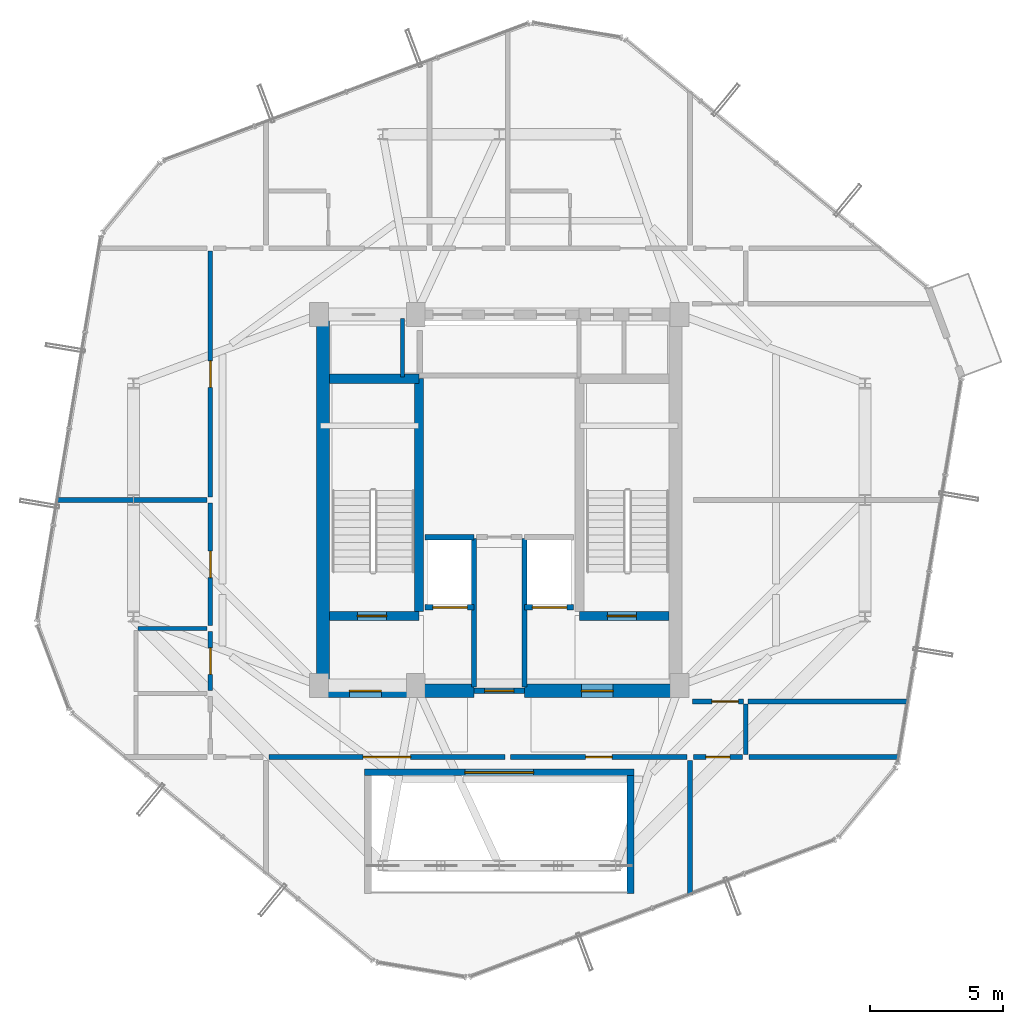
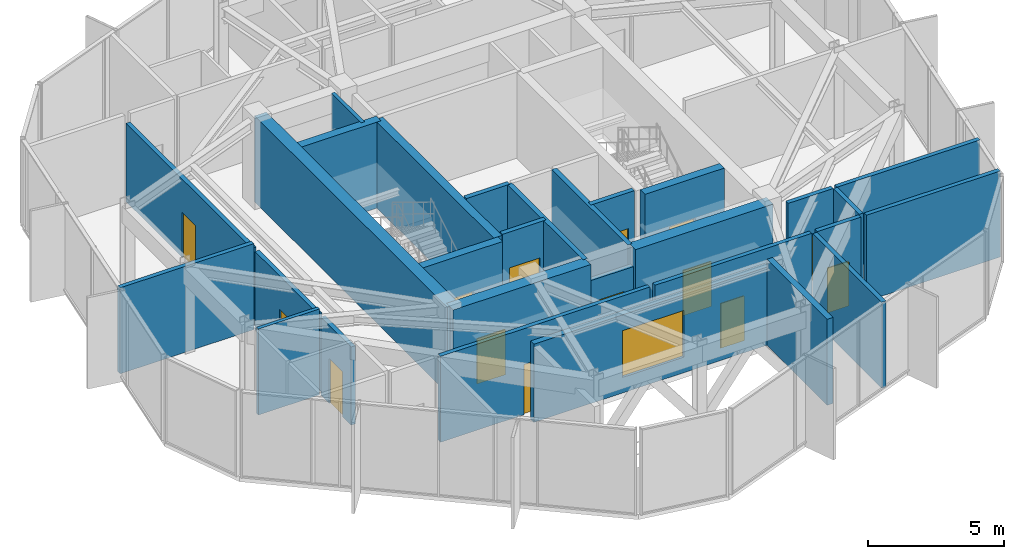
# One storey, part 18 of 22: 29 walls, 14 doors, 1 window, 15 openings.
"""IFC4 building model written with IfcOpenShell, lengths in metres."""

import ifcopenshell
import ifcopenshell.guid

model = None  # the IFC model being written
_history = None  # IfcOwnerHistory: only IFC2X3 demands one
_inside = {}  # id of a spatial element -> (the spatial element, [elements in it])
_under = {}  # id of a project, library or spatial element -> (it, [spatial elements below it])
_declared = {}  # id of a project -> (the project, [libraries it declares])
_typed = {}  # id of a type object -> (the type object, [elements of that type])
_made_of = {}  # id of a material, layer set ... -> (it, [elements and type objects made of it])


def new_model(schema):
    """Start an empty IFC model of exactly this schema.

    Asked for "IFC4X3", IfcOpenShell would pick the latest addendum, in which some entities
    have other attributes; the version numbers below select the first issue.
    IFC2X3 requires an IfcOwnerHistory on every rooted entity: one is made here for all.
    """
    global model, _history
    if schema == "IFC4X3":
        model = ifcopenshell.file(schema_version=(4, 3, 0, 0))
    else:
        model = ifcopenshell.file(schema=schema)
    _inside.clear()
    _under.clear()
    _declared.clear()
    _typed.clear()
    _made_of.clear()
    _history = None
    if model.schema == "IFC2X3":
        org = make("IfcOrganization", Name="unknown")
        user = make(
            "IfcPersonAndOrganization",
            ThePerson=make("IfcPerson", FamilyName="unknown"),
            TheOrganization=org,
        )
        app = make(
            "IfcApplication",
            ApplicationDeveloper=org,
            Version="unknown",
            ApplicationFullName="unknown",
            ApplicationIdentifier="unknown",
        )
        _history = make(
            "IfcOwnerHistory",
            OwningUser=user,
            OwningApplication=app,
            ChangeAction="ADDED",
            CreationDate=0,
        )
    return model


def make(cls, **values):
    """One entity of the class cls with the attributes given. An attribute that is None is left unset."""
    return model.create_entity(
        cls, **{name: value for name, value in values.items() if value is not None}
    )


def rooted(cls, **values):
    """An entity with a GlobalId (a new one), such as an element, a storey or a relation."""
    return make(cls, GlobalId=ifcopenshell.guid.new(), OwnerHistory=_history, **values)


def si_unit(unit_type, name, prefix=None):
    """IfcSIUnit, for example si_unit("LENGTHUNIT", "METRE", prefix="MILLI")."""
    return make("IfcSIUnit", UnitType=unit_type, Prefix=prefix, Name=name)


def assignment(units):
    """IfcUnitAssignment: the units of a project."""
    return None if units is None else make("IfcUnitAssignment", Units=units)


def point(xyz):
    """IfcCartesianPoint."""
    return None if xyz is None else make("IfcCartesianPoint", Coordinates=xyz)


def direction(xyz):
    """IfcDirection."""
    return None if xyz is None else make("IfcDirection", DirectionRatios=xyz)


def frame(location, z_axis=None, x_axis=None):
    """IfcAxis2Placement3D, a coordinate frame: its origin and axes. An axis left out is left unset."""
    return make(
        "IfcAxis2Placement3D",
        Location=point(location),
        Axis=direction(z_axis),
        RefDirection=direction(x_axis),
    )


def frame_2d(location, x_axis=None):
    """IfcAxis2Placement2D, a coordinate frame in the plane: its origin and x axis."""
    return make(
        "IfcAxis2Placement2D", Location=point(location), RefDirection=direction(x_axis)
    )


def origin():
    """The frame at (0, 0, 0) with its axes left unset."""
    return frame((0.0, 0.0, 0.0))


def place(relative_to, where):
    """IfcLocalPlacement: puts the frame where relative to a parent placement (None: the world)."""
    return make(
        "IfcLocalPlacement", PlacementRelTo=relative_to, RelativePlacement=where
    )


def context(
    kind, dimensions, precision=None, world=None, true_north=None, identifier=None
):
    """IfcGeometricRepresentationContext, for example the 3D "Model" context."""
    return make(
        "IfcGeometricRepresentationContext",
        ContextIdentifier=identifier,
        ContextType=kind,
        CoordinateSpaceDimension=dimensions,
        Precision=precision,
        WorldCoordinateSystem=world,
        TrueNorth=true_north,
    )


def subcontext(parent, identifier, kind, view, scale=None):
    """IfcGeometricRepresentationSubContext, for example "Body" below "Model"."""
    return make(
        "IfcGeometricRepresentationSubContext",
        ContextIdentifier=identifier,
        ContextType=kind,
        ParentContext=parent,
        TargetScale=scale,
        TargetView=view,
    )


def project(units=None, contexts=None):
    """IfcProject with its units and contexts."""
    return rooted(
        "IfcProject",
        Name="project",
        RepresentationContexts=contexts,
        UnitsInContext=assignment(units),
    )


def spatial(cls, under=None, at=None, **own):
    """A site, building, storey or space (cls), placed at a placement, below another one or the project."""
    s = rooted(cls, ObjectPlacement=at, **own)
    if under is not None:
        _under.setdefault(under.id(), (under, []))[1].append(s)
    return s


def profile(cls, at=None, kind="AREA", **sizes):
    """A parametric profile (cls). Its sizes go by their IFC names, for example OverallWidth=200.0."""
    return make(cls, ProfileType=kind, Position=at, **sizes)


def rectangle(**sizes):
    """IfcRectangleProfileDef."""
    return profile("IfcRectangleProfileDef", **sizes)


def extrude(swept, where, along, depth):
    """IfcExtrudedAreaSolid: the profile swept, set in the frame where, extruded along a direction by depth."""
    return make(
        "IfcExtrudedAreaSolid",
        SweptArea=swept,
        Position=where,
        ExtrudedDirection=direction(along),
        Depth=depth,
    )


def shape(context_of_items, identifier, shape_type, items):
    """IfcShapeRepresentation: the items that make up one representation, for example the "Body"."""
    return make(
        "IfcShapeRepresentation",
        ContextOfItems=context_of_items,
        RepresentationIdentifier=identifier,
        RepresentationType=shape_type,
        Items=items,
    )


def source(mapping_origin, context_of_items, identifier, shape_type, items):
    """IfcRepresentationMap: a shape defined once, which mapped items show again and again."""
    return make(
        "IfcRepresentationMap",
        MappingOrigin=mapping_origin,
        MappedRepresentation=shape(context_of_items, identifier, shape_type, items),
    )


def transform(
    local_origin,
    x_axis=None,
    y_axis=None,
    z_axis=None,
    scale=None,
    scale2=None,
    scale3=None,
    uniform=True,
):
    """IfcCartesianTransformationOperator3D, or its non-uniform kind. x_axis, y_axis, z_axis: its Axis1, 2, 3."""
    if uniform:
        return make(
            "IfcCartesianTransformationOperator3D",
            Axis1=direction(x_axis),
            Axis2=direction(y_axis),
            LocalOrigin=point(local_origin),
            Scale=scale,
            Axis3=direction(z_axis),
        )
    return make(
        "IfcCartesianTransformationOperator3DnonUniform",
        Axis1=direction(x_axis),
        Axis2=direction(y_axis),
        LocalOrigin=point(local_origin),
        Scale=scale,
        Axis3=direction(z_axis),
        Scale2=scale2,
        Scale3=scale3,
    )


def mapped(mapping_source, mapping_target):
    """IfcMappedItem: shows the shape of a source again, moved by a transform."""
    return make(
        "IfcMappedItem", MappingSource=mapping_source, MappingTarget=mapping_target
    )


def material(Name=None, Category=None):
    """IfcMaterial."""
    return make("IfcMaterial", Name=Name, Category=Category)


def layer(
    of_material, thickness, ventilated=None, Name=None, Category=None, Priority=None
):
    """IfcMaterialLayer: one layer of a wall or slab, of a material (None: an air gap)."""
    return make(
        "IfcMaterialLayer",
        Material=of_material,
        LayerThickness=thickness,
        IsVentilated=ventilated,
        Name=Name,
        Category=Category,
        Priority=Priority,
    )


def layer_set(layers, Name=None):
    """IfcMaterialLayerSet."""
    return make("IfcMaterialLayerSet", MaterialLayers=layers, LayerSetName=Name)


def made_of(thing, what):
    """Note that an element or type object is made of a material, layer set ...; save() writes the relation."""
    if what is not None:
        _made_of.setdefault(what.id(), (what, []))[1].append(thing)
    return thing


def type_object(cls, material=None, **own):
    """A type object (cls), such as IfcWallType, which elements share."""
    return made_of(rooted(cls, **own), material)


def element(
    cls,
    number,
    at=None,
    inside=None,
    cuts=None,
    type_object=None,
    material=None,
    context=None,
    identifier="Body",
    shape_type=None,
    held_by="IfcProductDefinitionShape",
    body=None,
    shapes=None,
    **own,
):
    """One element of the class cls, such as IfcWall. Its Tag is "e" and its number.

    at: its placement. inside: the storey or other place that contains it. cuts: it is an
    opening in that element (IfcRelVoidsElement). A single representation is given by context,
    identifier, shape_type and body (its items); several are given by shapes. held_by: the class
    of the entity that holds the representations. save() writes the other relations.
    """
    e = rooted(cls, Tag="e%d" % number, ObjectPlacement=at, **own)
    if body is not None:
        shapes = [shape(context, identifier, shape_type, body)]
    if shapes is not None:
        e.Representation = make(held_by, Representations=shapes)
    if inside is not None:
        _inside.setdefault(inside.id(), (inside, []))[1].append(e)
    if cuts is not None:
        rooted(
            "IfcRelVoidsElement", RelatingBuildingElement=cuts, RelatedOpeningElement=e
        )
    if type_object is not None:
        _typed.setdefault(type_object.id(), (type_object, []))[1].append(e)
    return made_of(e, material)


def fill(opening, filler):
    """IfcRelFillsElement: the door or window that sits in an opening."""
    return rooted(
        "IfcRelFillsElement",
        RelatingOpeningElement=opening,
        RelatedBuildingElement=filler,
    )


def aggregate(whole, parts):
    """IfcRelAggregates: a whole, such as a stair, and the parts it consists of."""
    return rooted("IfcRelAggregates", RelatingObject=whole, RelatedObjects=parts)


def save(model, path):
    """Write the relations noted so far, then the file.

    IfcRelAggregates (storeys below a building ...), IfcRelContainedInSpatialStructure (elements
    in a storey), IfcRelDefinesByType, IfcRelAssociatesMaterial and IfcRelDeclares: one each for
    every whole, place, type object, material and project.
    """
    for whole, parts in _under.values():
        aggregate(whole, parts)
    for where, things in _inside.values():
        rooted(
            "IfcRelContainedInSpatialStructure",
            RelatedElements=things,
            RelatingStructure=where,
        )
    for kind, things in _typed.values():
        rooted("IfcRelDefinesByType", RelatedObjects=things, RelatingType=kind)
    for what, things in _made_of.values():
        rooted("IfcRelAssociatesMaterial", RelatedObjects=things, RelatingMaterial=what)
    for by, libraries in _declared.values():
        rooted("IfcRelDeclares", RelatingContext=by, RelatedDefinitions=libraries)
    model.write(path)


model = new_model("IFC4")

# Units and contexts
model_context = context("Model", 3, precision=1e-05, world=origin(), true_north=direction((0.0, 1.0)))
body_context = subcontext(model_context, "Body", "Model", "MODEL_VIEW")
ifc_project = project(units=[si_unit("LENGTHUNIT", "METRE"), si_unit("AREAUNIT", "SQUARE_METRE"), si_unit("VOLUMEUNIT", "CUBIC_METRE"), si_unit("PLANEANGLEUNIT", "RADIAN"), si_unit("MASSUNIT", "GRAM", prefix="KILO")], contexts=[model_context])

# Site, building, storey
site_placement = place(None, origin())
site = spatial("IfcSite", under=ifc_project, at=site_placement, CompositionType="ELEMENT")
building_placement = place(site_placement, origin())
building = spatial("IfcBuilding", under=site, at=building_placement, Name="Veraguas Prism Commons", CompositionType="ELEMENT")
storey_placement = place(building_placement, frame((0.0, 0.0, 240.64990234375)))
storey = spatial("IfcBuildingStorey", under=building, at=storey_placement, Name="L68", CompositionType="ELEMENT", Elevation=240.64990234375)

# Wall, opening, door
ifc_material_1 = material(Name="Concrete C50/60", Category="concrete")
ifc_layer_1 = layer(ifc_material_1, 0.35009765625, Name="Core Internal Shear Wall Upper RC 350", Category="concrete")
ifc_layer_set_1 = layer_set([ifc_layer_1], Name="Concrete C50/60")
wall_type_1 = type_object("IfcWallType", Name="Core Internal Shear Wall Upper RC 350", PredefinedType="SHEAR", material=ifc_layer_set_1)
wall_1_placement = place(storey_placement, frame((17.60009765625, 19.625, 0.0), z_axis=(0.0, 0.0, 1.0), x_axis=(1.0, 0.0, 0.0)))
wall_1 = element("IfcWall", 1, at=wall_1_placement, inside=storey, type_object=wall_type_1, Name="Stair ST-01 South Shear Wall L68", PredefinedType="SHEAR", context=body_context, shape_type="SweptSolid", body=[
    extrude(rectangle(XDim=3.375, YDim=0.35009765625, at=frame_2d((1.6875, 0.0))), origin(), (0.0, 0.0, 1.0), 3.864990234375),
])
opening_1_placement = place(wall_1_placement, frame((1.050048828125, 0.0, 0.0)))
opening_1 = element("IfcOpeningElement", 2, at=opening_1_placement, cuts=wall_1, Name="Opening DR-05", PredefinedType="OPENING", context=body_context, shape_type="SweptSolid", body=[
    extrude(rectangle(XDim=1.10009765625, YDim=2.030029296875, at=frame_2d((0.550048828125, 1.01513671875))), frame((0.0, 0.18505859375, 0.0), z_axis=(0.0, -1.0, 0.0), x_axis=(1.0, 0.0, 0.0)), (0.0, 0.0, 1.0), 0.3701171875),
])
ifc_material_2 = material(Name="Steel fire-rated door assembly", Category="steel")
door_type_1 = type_object("IfcDoorType", Name="Protected Stair and Refuge Fire Door 1100x2030", OperationType="NOTDEFINED", PredefinedType="DOOR", material=ifc_material_2)
shared_shape_1 = source(origin(), body_context, "Body", "SweptSolid", [
    extrude(rectangle(XDim=1.10009765625, YDim=2.030029296875, at=frame_2d((0.550048828125, 1.01513671875))), frame((0.0, 0.02490234375, 0.0), z_axis=(0.0, -1.0, 0.0), x_axis=(1.0, 0.0, 0.0)), (0.0, 0.0, 1.0), 0.050048828125),
])
door_1_placement = place(opening_1_placement, origin())
door_1 = element("IfcDoor", 3, at=door_1_placement, inside=storey, type_object=door_type_1, Name="Stair ST-01 Enclosure Door L68", OperationType="SINGLE_SWING_RIGHT", OverallHeight=2.030029296875, OverallWidth=1.10009765625, PredefinedType="DOOR", context=body_context, shape_type="MappedRepresentation", body=[
    mapped(shared_shape_1, transform((0.0, 0.0, 0.0), scale=1.0)),
])
fill(opening_1, door_1)

wall_2_placement = place(storey_placement, frame((27.02490234375, 19.625, 0.0), z_axis=(0.0, 0.0, 1.0), x_axis=(1.0, 0.0, 0.0)))
wall_2 = element("IfcWall", 4, at=wall_2_placement, inside=storey, type_object=wall_type_1, Name="Stair ST-02 South Shear Wall L68", PredefinedType="SHEAR", context=body_context, shape_type="SweptSolid", body=[
    extrude(rectangle(XDim=3.375, YDim=0.35009765625, at=frame_2d((1.6875, 0.0))), origin(), (0.0, 0.0, 1.0), 3.864990234375),
])
opening_2_placement = place(wall_2_placement, frame((1.050048828125, 0.0, 0.0)))
opening_2 = element("IfcOpeningElement", 5, at=opening_2_placement, cuts=wall_2, Name="Opening DR-05", PredefinedType="OPENING", context=body_context, shape_type="SweptSolid", body=[
    extrude(rectangle(XDim=1.10009765625, YDim=2.030029296875, at=frame_2d((0.550048828125, 1.01513671875))), frame((0.0, 0.18505859375, 0.0), z_axis=(0.0, -1.0, 0.0), x_axis=(1.0, 0.0, 0.0)), (0.0, 0.0, 1.0), 0.3701171875),
])
door_2_placement = place(opening_2_placement, origin())
door_2 = element("IfcDoor", 6, at=door_2_placement, inside=storey, type_object=door_type_1, Name="Stair ST-02 Enclosure Door L68", OperationType="SINGLE_SWING_LEFT", OverallHeight=2.030029296875, OverallWidth=1.10009765625, PredefinedType="DOOR", context=body_context, shape_type="MappedRepresentation", body=[
    mapped(shared_shape_1, transform((0.0, 0.0, 0.0), scale=1.0)),
])
fill(opening_2, door_2)

# Walls
wall_3_placement = place(storey_placement, frame((20.97509765625, 19.800048828125, 0.0), z_axis=(0.0, 0.0, 1.0), x_axis=(0.0, 1.0, 0.0)))
element("IfcWall", 7, at=wall_3_placement, inside=storey, type_object=wall_type_1, Name="Stair ST-01 Inner Shear Wall L68", PredefinedType="SHEAR", context=body_context, shape_type="SweptSolid", body=[
    extrude(rectangle(XDim=8.77490234375, YDim=0.35009765625, at=frame_2d((4.387451171875, 0.0))), origin(), (0.0, 0.0, 1.0), 3.864990234375),
])
wall_4_placement = place(storey_placement, frame((17.60009765625, 28.574951171875, 0.0), z_axis=(0.0, 0.0, 1.0), x_axis=(1.0, 0.0, 0.0)))
element("IfcWall", 8, at=wall_4_placement, inside=storey, type_object=wall_type_1, Name="Stair ST-01 North Shear Wall L68", PredefinedType="SHEAR", context=body_context, shape_type="SweptSolid", body=[
    extrude(rectangle(XDim=3.375, YDim=0.35009765625, at=frame_2d((1.6875, 0.0))), origin(), (0.0, 0.0, 1.0), 3.864990234375),
])
ifc_layer_2 = layer(ifc_material_1, 0.5, Name="Core Outer Shear Wall Upper RC 500", Category="concrete")
ifc_layer_set_2 = layer_set([ifc_layer_2], Name="Concrete C50/60")
wall_type_2 = type_object("IfcWallType", Name="Core Outer Shear Wall Upper RC 500", PredefinedType="SHEAR", material=ifc_layer_set_2)
wall_5_placement = place(storey_placement, frame((17.35009765625, 16.800048828125, 0.0), z_axis=(0.0, 0.0, 1.0), x_axis=(0.0, 1.0, 0.0)))
element("IfcWall", 9, at=wall_5_placement, inside=storey, type_object=wall_type_2, Name="Central Core West Shear Wall L68", PredefinedType="SHEAR", context=body_context, shape_type="SweptSolid", body=[
    extrude(rectangle(XDim=14.199951171875, YDim=0.5, at=frame_2d((7.10009765625, 0.0))), origin(), (0.0, 0.0, 1.0), 3.864990234375),
])

# Wall, opening, door
wall_6_placement = place(storey_placement, frame((17.199951171875, 16.800048828125, 0.0), z_axis=(0.0, 0.0, 1.0), x_axis=(1.0, 0.0, 0.0)))
wall_6 = element("IfcWall", 10, at=wall_6_placement, inside=storey, type_object=wall_type_2, Name="Central Core South-West Shear Wall L68", PredefinedType="SHEAR", context=body_context, shape_type="SweptSolid", body=[
    extrude(rectangle(XDim=5.85009765625, YDim=0.5, at=frame_2d((2.925048828125, 0.0))), origin(), (0.0, 0.0, 1.0), 3.864990234375),
])
opening_3_placement = place(wall_6_placement, frame((1.14990234375, 0.0, 0.0)))
opening_3 = element("IfcOpeningElement", 11, at=opening_3_placement, cuts=wall_6, Name="Opening DR-06", PredefinedType="OPENING", context=body_context, shape_type="SweptSolid", body=[
    extrude(rectangle(XDim=1.199951171875, YDim=2.030029296875, at=frame_2d((0.60009765625, 1.01513671875))), frame((0.0, 0.260009765625, 0.0), z_axis=(0.0, -1.0, 0.0), x_axis=(1.0, 0.0, 0.0)), (0.0, 0.0, 1.0), 0.52001953125),
])
door_type_2 = type_object("IfcDoorType", Name="Firefighting Lobby Smoke Door 1200x2030", OperationType="NOTDEFINED", PredefinedType="DOOR", material=ifc_material_2)
shared_shape_2 = source(origin(), body_context, "Body", "SweptSolid", [
    extrude(rectangle(XDim=1.199951171875, YDim=2.030029296875, at=frame_2d((0.60009765625, 1.01513671875))), frame((0.0, 0.02490234375, 0.0), z_axis=(0.0, -1.0, 0.0), x_axis=(1.0, 0.0, 0.0)), (0.0, 0.0, 1.0), 0.050048828125),
])
door_3_placement = place(opening_3_placement, origin())
door_3 = element("IfcDoor", 12, at=door_3_placement, inside=storey, type_object=door_type_2, Name="West FF Lobby Door L68", OperationType="SINGLE_SWING_RIGHT", OverallHeight=2.030029296875, OverallWidth=1.199951171875, PredefinedType="DOOR", context=body_context, shape_type="MappedRepresentation", body=[
    mapped(shared_shape_2, transform((0.0, 0.0, 0.0), scale=1.0)),
])
fill(opening_3, door_3)

wall_7_placement = place(storey_placement, frame((24.949951171875, 16.800048828125, 0.0), z_axis=(0.0, 0.0, 1.0), x_axis=(1.0, 0.0, 0.0)))
wall_7 = element("IfcWall", 13, at=wall_7_placement, inside=storey, type_object=wall_type_2, Name="Central Core South-East Shear Wall L68", PredefinedType="SHEAR", context=body_context, shape_type="SweptSolid", body=[
    extrude(rectangle(XDim=5.85009765625, YDim=0.5, at=frame_2d((2.925048828125, 0.0))), origin(), (0.0, 0.0, 1.0), 3.864990234375),
])
opening_4_placement = place(wall_7_placement, frame((2.14990234375, 0.0, 0.0)))
opening_4 = element("IfcOpeningElement", 14, at=opening_4_placement, cuts=wall_7, Name="Opening DR-06", PredefinedType="OPENING", context=body_context, shape_type="SweptSolid", body=[
    extrude(rectangle(XDim=1.199951171875, YDim=2.030029296875, at=frame_2d((0.60009765625, 1.01513671875))), frame((0.0, 0.260009765625, 0.0), z_axis=(0.0, -1.0, 0.0), x_axis=(1.0, 0.0, 0.0)), (0.0, 0.0, 1.0), 0.52001953125),
])
door_4_placement = place(opening_4_placement, origin())
door_4 = element("IfcDoor", 15, at=door_4_placement, inside=storey, type_object=door_type_2, Name="East FF Lobby Door L68", OperationType="SINGLE_SWING_RIGHT", OverallHeight=2.030029296875, OverallWidth=1.199951171875, PredefinedType="DOOR", context=body_context, shape_type="MappedRepresentation", body=[
    mapped(shared_shape_2, transform((0.0, 0.0, 0.0), scale=1.0)),
])
fill(opening_4, door_4)

# Wall
ifc_material_3 = material(Name="Autoclaved aerated masonry block 10 MPa", Category="masonry")
ifc_layer_3 = layer(ifc_material_3, 0.179931640625, Name="Corridor and Inter-Tenancy Partition 180", Category="masonry")
ifc_layer_set_3 = layer_set([ifc_layer_3], Name="Autoclaved aerated masonry block 10 MPa")
wall_type_3 = type_object("IfcWallType", Name="Corridor and Inter-Tenancy Partition 180", PredefinedType="PARTITIONING", material=ifc_layer_set_3)
wall_8_placement = place(storey_placement, frame((31.199951171875, 14.179931640625, 0.0), z_axis=(0.0, 0.0, 1.0), x_axis=(0.0, -1.0, 0.0)))
element("IfcWall", 16, at=wall_8_placement, inside=storey, type_object=wall_type_3, Name="WL-L68-PT002", PredefinedType="PARTITIONING", context=body_context, shape_type="SweptSolid", body=[
    extrude(rectangle(XDim=5.084716796875, YDim=0.179931640625, at=frame_2d((2.54248046875, 0.0))), origin(), (0.0, 0.0, 1.0), 3.864990234375),
])

# Wall, opening, door
wall_9_placement = place(storey_placement, frame((15.31005859375, 14.300048828125, 0.0), z_axis=(0.0, 0.0, 1.0), x_axis=(1.0, 0.0, 0.0)))
wall_9 = element("IfcWall", 17, at=wall_9_placement, inside=storey, type_object=wall_type_3, Name="WL-L68-PT003", PredefinedType="PARTITIONING", context=body_context, shape_type="SweptSolid", body=[
    extrude(rectangle(XDim=8.89990234375, YDim=0.179931640625, at=frame_2d((4.449951171875, 0.0))), origin(), (0.0, 0.0, 1.0), 3.864990234375),
])
opening_5_placement = place(wall_9_placement, frame((3.550048828125, 0.0, 0.0)))
opening_5 = element("IfcOpeningElement", 18, at=opening_5_placement, cuts=wall_9, Name="Opening DR-07", PredefinedType="OPENING", context=body_context, shape_type="SweptSolid", body=[
    extrude(rectangle(XDim=1.800048828125, YDim=2.25, at=frame_2d((0.89990234375, 1.125))), frame((0.0, 0.099853515625, 0.0), z_axis=(0.0, -1.0, 0.0), x_axis=(1.0, 0.0, 0.0)), (0.0, 0.0, 1.0), 0.199951171875),
])
door_type_3 = type_object("IfcDoorType", Name="Corridor Double Fire Door 1800x2250", OperationType="NOTDEFINED", PredefinedType="DOOR", material=ifc_material_2)
shared_shape_3 = source(origin(), body_context, "Body", "SweptSolid", [
    extrude(rectangle(XDim=1.800048828125, YDim=2.25, at=frame_2d((0.89990234375, 1.125))), frame((0.0, 0.02490234375, 0.0), z_axis=(0.0, -1.0, 0.0), x_axis=(1.0, 0.0, 0.0)), (0.0, 0.0, 1.0), 0.050048828125),
])
door_5_placement = place(opening_5_placement, origin())
door_5 = element("IfcDoor", 19, at=door_5_placement, inside=storey, type_object=door_type_3, Name="Sky Lobby and Observation Concourse L68 Door 1", OperationType="SINGLE_SWING_LEFT", OverallHeight=2.25, OverallWidth=1.800048828125, PredefinedType="DOOR", context=body_context, shape_type="MappedRepresentation", body=[
    mapped(shared_shape_3, transform((0.0, 0.0, 0.0), scale=1.0)),
])
fill(opening_5, door_5)

wall_10_placement = place(storey_placement, frame((24.429931640625, 14.300048828125, 0.0), z_axis=(0.0, 0.0, 1.0), x_axis=(1.0, 0.0, 0.0)))
wall_10 = element("IfcWall", 20, at=wall_10_placement, inside=storey, type_object=wall_type_3, Name="WL-L68-PT004", PredefinedType="PARTITIONING", context=body_context, shape_type="SweptSolid", body=[
    extrude(rectangle(XDim=6.66015625, YDim=0.179931640625, at=frame_2d((3.330078125, 0.0))), origin(), (0.0, 0.0, 1.0), 3.864990234375),
])
opening_6_placement = place(wall_10_placement, frame((2.830078125, 0.0, 0.0)))
opening_6 = element("IfcOpeningElement", 21, at=opening_6_placement, cuts=wall_10, Name="Opening DR-13", PredefinedType="OPENING", context=body_context, shape_type="SweptSolid", body=[
    extrude(rectangle(XDim=1.0, YDim=2.010009765625, at=frame_2d((0.5, 1.0048828125))), frame((0.0, 0.099853515625, 0.0), z_axis=(0.0, -1.0, 0.0), x_axis=(1.0, 0.0, 0.0)), (0.0, 0.0, 1.0), 0.199951171875),
])
door_type_4 = type_object("IfcDoorType", Name="Core Accessible WC and Clinic Fire Door 1000x2010", OperationType="NOTDEFINED", PredefinedType="DOOR", material=ifc_material_2)
shared_shape_4 = source(origin(), body_context, "Body", "SweptSolid", [
    extrude(rectangle(XDim=1.0, YDim=2.010009765625, at=frame_2d((0.5, 1.0048828125))), frame((0.0, 0.02490234375, 0.0), z_axis=(0.0, -1.0, 0.0), x_axis=(1.0, 0.0, 0.0)), (0.0, 0.0, 1.0), 0.050048828125),
])
door_6_placement = place(opening_6_placement, origin())
door_6 = element("IfcDoor", 22, at=door_6_placement, inside=storey, type_object=door_type_4, Name="Sky Lobby and Observation Concourse L68 Door 2", OperationType="SINGLE_SWING_RIGHT", OverallHeight=2.010009765625, OverallWidth=1.0, PredefinedType="DOOR", context=body_context, shape_type="MappedRepresentation", body=[
    mapped(shared_shape_4, transform((0.0, 0.0, 0.0), scale=1.0)),
])
fill(opening_6, door_6)

wall_11_placement = place(storey_placement, frame((13.10009765625, 16.81005859375, 0.0), z_axis=(0.0, 0.0, 1.0), x_axis=(0.0, 1.0, 0.0)))
wall_11 = element("IfcWall", 23, at=wall_11_placement, inside=storey, type_object=wall_type_3, Name="WL-L68-PT019", PredefinedType="PARTITIONING", context=body_context, shape_type="SweptSolid", body=[
    extrude(rectangle(XDim=2.22998046875, YDim=0.179931640625, at=frame_2d((1.114990234375, 0.0))), origin(), (0.0, 0.0, 1.0), 3.51220703125),
])
opening_7_placement = place(wall_11_placement, frame((0.614990234375, 0.0, 0.0)))
opening_7 = element("IfcOpeningElement", 24, at=opening_7_placement, cuts=wall_11, Name="Opening DR-13", PredefinedType="OPENING", context=body_context, shape_type="SweptSolid", body=[
    extrude(rectangle(XDim=1.0, YDim=2.010009765625, at=frame_2d((0.5, 1.0048828125))), frame((0.0, 0.099853515625, 0.0), z_axis=(0.0, -1.0, 0.0), x_axis=(1.0, 0.0, 0.0)), (0.0, 0.0, 1.0), 0.199951171875),
])
door_7_placement = place(opening_7_placement, origin())
door_7 = element("IfcDoor", 25, at=door_7_placement, inside=storey, type_object=door_type_4, Name="Accessible WC L68 Door", OperationType="SINGLE_SWING_LEFT", OverallHeight=2.010009765625, OverallWidth=1.0, PredefinedType="DOOR", context=body_context, shape_type="MappedRepresentation", body=[
    mapped(shared_shape_4, transform((0.0, 0.0, 0.0), scale=1.0)),
])
fill(opening_7, door_7)

wall_12_placement = place(storey_placement, frame((13.10009765625, 19.260009765625, 0.0), z_axis=(0.0, 0.0, 1.0), x_axis=(0.0, 1.0, 0.0)))
wall_12 = element("IfcWall", 26, at=wall_12_placement, inside=storey, type_object=wall_type_3, Name="WL-L68-PT020", PredefinedType="PARTITIONING", context=body_context, shape_type="SweptSolid", body=[
    extrude(rectangle(XDim=4.6298828125, YDim=0.179931640625, at=frame_2d((2.31494140625, 0.0))), origin(), (0.0, 0.0, 1.0), 3.51220703125),
])
opening_8_placement = place(wall_12_placement, frame((1.81494140625, 0.0, 0.0)))
opening_8 = element("IfcOpeningElement", 27, at=opening_8_placement, cuts=wall_12, Name="Opening DR-13", PredefinedType="OPENING", context=body_context, shape_type="SweptSolid", body=[
    extrude(rectangle(XDim=1.0, YDim=2.010009765625, at=frame_2d((0.5, 1.0048828125))), frame((0.0, 0.099853515625, 0.0), z_axis=(0.0, -1.0, 0.0), x_axis=(1.0, 0.0, 0.0)), (0.0, 0.0, 1.0), 0.199951171875),
])
door_8_placement = place(opening_8_placement, origin())
door_8 = element("IfcDoor", 28, at=door_8_placement, inside=storey, type_object=door_type_4, Name="Quiet Study L68 Door", OperationType="SINGLE_SWING_RIGHT", OverallHeight=2.010009765625, OverallWidth=1.0, PredefinedType="DOOR", context=body_context, shape_type="MappedRepresentation", body=[
    mapped(shared_shape_4, transform((0.0, 0.0, 0.0), scale=1.0)),
])
fill(opening_8, door_8)

wall_13_placement = place(storey_placement, frame((13.10009765625, 24.110107421875, 0.0), z_axis=(0.0, 0.0, 1.0), x_axis=(0.0, 1.0, 0.0)))
wall_13 = element("IfcWall", 29, at=wall_13_placement, inside=storey, type_object=wall_type_3, Name="WL-L68-PT021", PredefinedType="PARTITIONING", context=body_context, shape_type="SweptSolid", body=[
    extrude(rectangle(XDim=9.27978515625, YDim=0.179931640625, at=frame_2d((4.639892578125, 0.0))), origin(), (0.0, 0.0, 1.0), 3.51220703125),
])
opening_9_placement = place(wall_13_placement, frame((4.139892578125, 0.0, 0.0)))
opening_9 = element("IfcOpeningElement", 30, at=opening_9_placement, cuts=wall_13, Name="Opening DR-13", PredefinedType="OPENING", context=body_context, shape_type="SweptSolid", body=[
    extrude(rectangle(XDim=1.0, YDim=2.010009765625, at=frame_2d((0.5, 1.0048828125))), frame((0.0, 0.099853515625, 0.0), z_axis=(0.0, -1.0, 0.0), x_axis=(1.0, 0.0, 0.0)), (0.0, 0.0, 1.0), 0.199951171875),
])
door_9_placement = place(opening_9_placement, origin())
door_9 = element("IfcDoor", 31, at=door_9_placement, inside=storey, type_object=door_type_4, Name="Reading Lounge L68 Door", OperationType="SINGLE_SWING_LEFT", OverallHeight=2.010009765625, OverallWidth=1.0, PredefinedType="DOOR", context=body_context, shape_type="MappedRepresentation", body=[
    mapped(shared_shape_4, transform((0.0, 0.0, 0.0), scale=1.0)),
])
fill(opening_9, door_9)

# Walls
wall_14_placement = place(storey_placement, frame((12.97998046875, 24.0, 0.0), z_axis=(0.0, 0.0, 1.0), x_axis=(-1.0, 0.0, 0.0)))
element("IfcWall", 32, at=wall_14_placement, inside=storey, type_object=wall_type_3, Name="WL-L68-PT026", PredefinedType="PARTITIONING", context=body_context, shape_type="SweptSolid", body=[
    extrude(rectangle(XDim=5.689697265625, YDim=0.179931640625, at=frame_2d((2.8447265625, 0.0))), origin(), (0.0, 0.0, 1.0), 3.864990234375),
])
wall_15_placement = place(storey_placement, frame((33.300048828125, 14.39990234375, 0.0), z_axis=(0.0, 0.0, 1.0), x_axis=(0.0, 1.0, 0.0)))
element("IfcWall", 33, at=wall_15_placement, inside=storey, type_object=wall_type_3, Name="WL-L68-PT028", PredefinedType="PARTITIONING", context=body_context, shape_type="SweptSolid", body=[
    extrude(rectangle(XDim=1.900146484375, YDim=0.179931640625, at=frame_2d((0.9501953125, 0.0))), origin(), (0.0, 0.0, 1.0), 3.864990234375),
])

# Wall, opening, door
wall_16_placement = place(storey_placement, frame((31.300048828125, 16.39990234375, 0.0), z_axis=(0.0, 0.0, 1.0), x_axis=(1.0, 0.0, 0.0)))
wall_16 = element("IfcWall", 34, at=wall_16_placement, inside=storey, type_object=wall_type_3, Name="WL-L68-PT030", PredefinedType="PARTITIONING", context=body_context, shape_type="SweptSolid", body=[
    extrude(rectangle(XDim=1.919921875, YDim=0.179931640625, at=frame_2d((0.9599609375, 0.0))), origin(), (0.0, 0.0, 1.0), 3.864990234375),
])
opening_10_placement = place(wall_16_placement, frame((0.719970703125, 0.0, 0.0)))
opening_10 = element("IfcOpeningElement", 35, at=opening_10_placement, cuts=wall_16, Name="Opening DR-13", PredefinedType="OPENING", context=body_context, shape_type="SweptSolid", body=[
    extrude(rectangle(XDim=1.0, YDim=2.010009765625, at=frame_2d((0.5, 1.0048828125))), frame((0.0, 0.099853515625, 0.0), z_axis=(0.0, -1.0, 0.0), x_axis=(1.0, 0.0, 0.0)), (0.0, 0.0, 1.0), 0.199951171875),
])
door_10_placement = place(opening_10_placement, origin())
door_10 = element("IfcDoor", 36, at=door_10_placement, inside=storey, type_object=door_type_4, Name="Panorama Lounge Door L68", OperationType="SINGLE_SWING_RIGHT", OverallHeight=2.010009765625, OverallWidth=1.0, PredefinedType="DOOR", context=body_context, shape_type="MappedRepresentation", body=[
    mapped(shared_shape_4, transform((0.0, 0.0, 0.0), scale=1.0)),
])
fill(opening_10, door_10)

# Walls
wall_17_placement = place(storey_placement, frame((33.3798828125, 16.39990234375, 0.0), z_axis=(0.0, 0.0, 1.0), x_axis=(1.0, 0.0, 0.0)))
element("IfcWall", 37, at=wall_17_placement, inside=storey, type_object=wall_type_3, Name="WL-L68-PT031", PredefinedType="PARTITIONING", context=body_context, shape_type="SweptSolid", body=[
    extrude(rectangle(XDim=6.069091796875, YDim=0.179931640625, at=frame_2d((3.03466796875, 0.0))), origin(), (0.0, 0.0, 1.0), 3.864990234375),
])
wall_18_placement = place(storey_placement, frame((33.419921875, 14.300048828125, 0.0), z_axis=(0.0, 0.0, 1.0), x_axis=(1.0, 0.0, 0.0)))
element("IfcWall", 38, at=wall_18_placement, inside=storey, type_object=wall_type_3, Name="WL-L68-PT035", PredefinedType="PARTITIONING", context=body_context, shape_type="SweptSolid", body=[
    extrude(rectangle(XDim=5.6806640625, YDim=0.179931640625, at=frame_2d((2.84033203125, 0.0))), origin(), (0.0, 0.0, 1.0), 3.864990234375),
])

# Wall, opening, door
wall_19_placement = place(storey_placement, frame((31.320068359375, 14.300048828125, 0.0), z_axis=(0.0, 0.0, 1.0), x_axis=(1.0, 0.0, 0.0)))
wall_19 = element("IfcWall", 39, at=wall_19_placement, inside=storey, type_object=wall_type_3, Name="WL-L68-PT036", PredefinedType="PARTITIONING", context=body_context, shape_type="SweptSolid", body=[
    extrude(rectangle(XDim=1.85986328125, YDim=0.179931640625, at=frame_2d((0.929931640625, 0.0))), origin(), (0.0, 0.0, 1.0), 3.864990234375),
])
opening_11_placement = place(wall_19_placement, frame((0.47998046875, 0.0, 0.0)))
opening_11 = element("IfcOpeningElement", 40, at=opening_11_placement, cuts=wall_19, Name="Opening DR-14", PredefinedType="OPENING", context=body_context, shape_type="SweptSolid", body=[
    extrude(rectangle(XDim=0.89990234375, YDim=2.010009765625, at=frame_2d((0.449951171875, 1.0048828125))), frame((0.0, 0.099853515625, 0.0), z_axis=(0.0, -1.0, 0.0), x_axis=(1.0, 0.0, 0.0)), (0.0, 0.0, 1.0), 0.199951171875),
])
door_type_5 = type_object("IfcDoorType", Name="Core Service Room Fire Door 900x2010", OperationType="NOTDEFINED", PredefinedType="DOOR", material=ifc_material_2)
shared_shape_5 = source(origin(), body_context, "Body", "SweptSolid", [
    extrude(rectangle(XDim=0.89990234375, YDim=2.010009765625, at=frame_2d((0.449951171875, 1.0048828125))), frame((0.0, 0.02490234375, 0.0), z_axis=(0.0, -1.0, 0.0), x_axis=(1.0, 0.0, 0.0)), (0.0, 0.0, 1.0), 0.050048828125),
])
door_11_placement = place(opening_11_placement, origin())
door_11 = element("IfcDoor", 41, at=door_11_placement, inside=storey, type_object=door_type_5, Name="Corner Study SE Door", OperationType="SINGLE_SWING_LEFT", OverallHeight=2.010009765625, OverallWidth=0.89990234375, PredefinedType="DOOR", context=body_context, shape_type="MappedRepresentation", body=[
    mapped(shared_shape_5, transform((0.0, 0.0, 0.0), scale=1.0)),
])
fill(opening_11, door_11)

# Wall, opening, window
ifc_material_4 = material(Name="Precast concrete C40/50", Category="concrete")
ifc_layer_4 = layer(ifc_material_4, 0.25, Name="External Loggia and Portal Wall 250", Category="concrete")
ifc_layer_set_4 = layer_set([ifc_layer_4], Name="Precast concrete C40/50")
wall_type_4 = type_object("IfcWallType", Name="External Loggia and Portal Wall 250", PredefinedType="SOLIDWALL", material=ifc_layer_set_4)
wall_20_placement = place(storey_placement, frame((18.925048828125, 13.72509765625, 0.0), z_axis=(0.0, 0.0, 1.0), x_axis=(1.0, 0.0, 0.0)))
wall_20 = element("IfcWall", 42, at=wall_20_placement, inside=storey, type_object=wall_type_4, Name="Wind Portal Enclosure Wall L68-N", PredefinedType="SOLIDWALL", context=body_context, shape_type="SweptSolid", body=[
    extrude(rectangle(XDim=10.14990234375, YDim=0.25, at=frame_2d((5.074951171875, 0.0))), origin(), (0.0, 0.0, 1.0), 3.51220703125),
])
opening_12_placement = place(wall_20_placement, frame((3.77490234375, 0.0, 0.699951171875)))
opening_12 = element("IfcOpeningElement", 43, at=opening_12_placement, cuts=wall_20, Name="Opening WN-09", PredefinedType="OPENING", context=body_context, shape_type="SweptSolid", body=[
    extrude(rectangle(XDim=2.60009765625, YDim=2.10009765625, at=frame_2d((1.300048828125, 1.050048828125))), frame((0.0, 0.135009765625, 0.0), z_axis=(0.0, -1.0, 0.0), x_axis=(1.0, 0.0, 0.0)), (0.0, 0.0, 1.0), 0.27001953125),
])
ifc_material_5 = material(Name="Laminated low-e glass", Category="glass")
window_type = type_object("IfcWindowType", Name="Sky Pool Lounge Panorama Window 2600x2100", PartitioningType="SINGLE_PANEL", PredefinedType="WINDOW", material=ifc_material_5)
shared_shape_6 = source(origin(), body_context, "Body", "SweptSolid", [
    extrude(rectangle(XDim=2.60009765625, YDim=2.10009765625, at=frame_2d((1.300048828125, 1.050048828125))), frame((0.0, 0.030029296875, 0.0), z_axis=(0.0, -1.0, 0.0), x_axis=(1.0, 0.0, 0.0)), (0.0, 0.0, 1.0), 0.06005859375),
])
window_placement = place(opening_12_placement, origin())
window = element("IfcWindow", 44, at=window_placement, inside=storey, type_object=window_type, Name="Wind Portal Observation Window L68", OverallHeight=2.10009765625, OverallWidth=2.60009765625, PartitioningType="SINGLE_PANEL", PredefinedType="WINDOW", context=body_context, shape_type="MappedRepresentation", body=[
    mapped(shared_shape_6, transform((0.0, 0.0, 0.0), scale=1.0)),
])
fill(opening_12, window)

# Wall
wall_21_placement = place(storey_placement, frame((28.949951171875, 13.60009765625, 0.0), z_axis=(0.0, 0.0, 1.0), x_axis=(0.0, -1.0, 0.0)))
element("IfcWall", 45, at=wall_21_placement, inside=storey, type_object=wall_type_4, Name="Wind Portal Enclosure Wall L68-E", PredefinedType="SOLIDWALL", context=body_context, shape_type="SweptSolid", body=[
    extrude(rectangle(XDim=4.4501953125, YDim=0.25, at=frame_2d((2.22509765625, 0.0))), origin(), (0.0, 0.0, 1.0), 3.864990234375),
])

# Wall, opening, door
ifc_layer_5 = layer(ifc_material_3, 0.199951171875, Name="Rated Shaft and Lobby Block Wall 200", Category="masonry")
ifc_layer_set_5 = layer_set([ifc_layer_5], Name="Autoclaved aerated masonry block 10 MPa")
wall_type_5 = type_object("IfcWallType", Name="Rated Shaft and Lobby Block Wall 200", PredefinedType="SOLIDWALL", material=ifc_layer_set_5)
wall_22_placement = place(storey_placement, frame((23.050048828125, 16.800048828125, 0.0), z_axis=(0.0, 0.0, 1.0), x_axis=(1.0, 0.0, 0.0)))
wall_22 = element("IfcWall", 46, at=wall_22_placement, inside=storey, type_object=wall_type_5, Name="Central Core Lobby Entrance Wall L68", PredefinedType="SOLIDWALL", context=body_context, shape_type="SweptSolid", body=[
    extrude(rectangle(XDim=1.89990234375, YDim=0.199951171875, at=frame_2d((0.949951171875, 0.0))), origin(), (0.0, 0.0, 1.0), 3.01513671875),
])
opening_13_placement = place(wall_22_placement, frame((0.39990234375, 0.0, 0.0)))
opening_13 = element("IfcOpeningElement", 47, at=opening_13_placement, cuts=wall_22, Name="Opening DR-05", PredefinedType="OPENING", context=body_context, shape_type="SweptSolid", body=[
    extrude(rectangle(XDim=1.10009765625, YDim=2.030029296875, at=frame_2d((0.550048828125, 1.01513671875))), frame((0.0, 0.10986328125, 0.0), z_axis=(0.0, -1.0, 0.0), x_axis=(1.0, 0.0, 0.0)), (0.0, 0.0, 1.0), 0.219970703125),
])
door_12_placement = place(opening_13_placement, origin())
door_12 = element("IfcDoor", 48, at=door_12_placement, inside=storey, type_object=door_type_1, Name="Central Lobby Door L68", OperationType="SINGLE_SWING_LEFT", OverallHeight=2.030029296875, OverallWidth=1.10009765625, PredefinedType="DOOR", context=body_context, shape_type="MappedRepresentation", body=[
    mapped(shared_shape_1, transform((0.0, 0.0, 0.0), scale=1.0)),
])
fill(opening_13, door_12)

wall_23_placement = place(storey_placement, frame((21.199951171875, 19.949951171875, 0.0), z_axis=(0.0, 0.0, 1.0), x_axis=(1.0, 0.0, 0.0)))
wall_23 = element("IfcWall", 49, at=wall_23_placement, inside=storey, type_object=wall_type_5, Name="Firefighting Lift FFL-1 Front Wall L68", PredefinedType="SOLIDWALL", context=body_context, shape_type="SweptSolid", body=[
    extrude(rectangle(XDim=1.85009765625, YDim=0.199951171875, at=frame_2d((0.925048828125, 0.0))), origin(), (0.0, 0.0, 1.0), 3.864990234375),
])
opening_14_placement = place(wall_23_placement, frame((0.300048828125, 0.0, 0.0)))
opening_14 = element("IfcOpeningElement", 50, at=opening_14_placement, cuts=wall_23, Name="Opening LD-02", PredefinedType="OPENING", context=body_context, shape_type="SweptSolid", body=[
    extrude(rectangle(XDim=1.300048828125, YDim=2.25, at=frame_2d((0.64990234375, 1.125))), frame((0.0, 0.10986328125, 0.0), z_axis=(0.0, -1.0, 0.0), x_axis=(1.0, 0.0, 0.0)), (0.0, 0.0, 1.0), 0.219970703125),
])
ifc_material_6 = material(Name="Stainless steel AISI 316", Category="steel")
door_type_6 = type_object("IfcDoorType", Name="Firefighting Lift Sliding Landing Door 1300x2250", OperationType="NOTDEFINED", PredefinedType="DOOR", material=ifc_material_6)
shared_shape_7 = source(origin(), body_context, "Body", "SweptSolid", [
    extrude(rectangle(XDim=1.300048828125, YDim=2.25, at=frame_2d((0.64990234375, 1.125))), frame((0.0, 0.02490234375, 0.0), z_axis=(0.0, -1.0, 0.0), x_axis=(1.0, 0.0, 0.0)), (0.0, 0.0, 1.0), 0.050048828125),
])
door_13_placement = place(opening_14_placement, origin())
door_13 = element("IfcDoor", 51, at=door_13_placement, inside=storey, type_object=door_type_6, Name="Firefighting Lift FFL-1 Landing Door L68", OperationType="SLIDING_TO_LEFT", OverallHeight=2.25, OverallWidth=1.300048828125, PredefinedType="DOOR", context=body_context, shape_type="MappedRepresentation", body=[
    mapped(shared_shape_7, transform((0.0, 0.0, 0.0), scale=1.0)),
])
fill(opening_14, door_13)

wall_24_placement = place(storey_placement, frame((24.949951171875, 19.949951171875, 0.0), z_axis=(0.0, 0.0, 1.0), x_axis=(1.0, 0.0, 0.0)))
wall_24 = element("IfcWall", 52, at=wall_24_placement, inside=storey, type_object=wall_type_5, Name="Firefighting Lift FFL-2 Front Wall L68", PredefinedType="SOLIDWALL", context=body_context, shape_type="SweptSolid", body=[
    extrude(rectangle(XDim=1.85009765625, YDim=0.199951171875, at=frame_2d((0.925048828125, 0.0))), origin(), (0.0, 0.0, 1.0), 3.864990234375),
])
opening_15_placement = place(wall_24_placement, frame((0.300048828125, 0.0, 0.0)))
opening_15 = element("IfcOpeningElement", 53, at=opening_15_placement, cuts=wall_24, Name="Opening LD-02", PredefinedType="OPENING", context=body_context, shape_type="SweptSolid", body=[
    extrude(rectangle(XDim=1.300048828125, YDim=2.25, at=frame_2d((0.64990234375, 1.125))), frame((0.0, 0.10986328125, 0.0), z_axis=(0.0, -1.0, 0.0), x_axis=(1.0, 0.0, 0.0)), (0.0, 0.0, 1.0), 0.219970703125),
])
door_14_placement = place(opening_15_placement, origin())
door_14 = element("IfcDoor", 54, at=door_14_placement, inside=storey, type_object=door_type_6, Name="Firefighting Lift FFL-2 Front Wall L68", OperationType="SLIDING_TO_LEFT", OverallHeight=2.25, OverallWidth=1.300048828125, PredefinedType="DOOR", context=body_context, shape_type="MappedRepresentation", body=[
    mapped(shared_shape_7, transform((0.0, 0.0, 0.0), scale=1.0)),
])
fill(opening_15, door_14)

# Walls
for number, where, z_axis, x_axis, name in (
    (55, (23.050048828125, 16.949951171875, 0.0), (0.0, 0.0, 1.0), (0.0, 1.0, 0.0), "West FF Lobby Divider Wall L68"),
    (56, (24.949951171875, 16.949951171875, 0.0), (0.0, 0.0, 1.0), (0.0, 1.0, 0.0), "East FF Lobby Divider Wall L68"),
):
    element("IfcWall", number, at=place(storey_placement, frame(where, z_axis=z_axis, x_axis=x_axis)), inside=storey, type_object=wall_type_5, Name=name, PredefinedType="SOLIDWALL", context=body_context, shape_type="SweptSolid", body=[
        extrude(rectangle(XDim=5.60009765625, YDim=0.199951171875, at=frame_2d((2.800048828125, 0.0))), origin(), (0.0, 0.0, 1.0), 3.864990234375),
    ])
wall_25_placement = place(storey_placement, frame((21.199951171875, 22.60009765625, 0.0), z_axis=(0.0, 0.0, 1.0), x_axis=(1.0, 0.0, 0.0)))
element("IfcWall", 57, at=wall_25_placement, inside=storey, type_object=wall_type_5, Name="Firefighting Lift FFL-1 Rear Wall L68", PredefinedType="SOLIDWALL", context=body_context, shape_type="SweptSolid", body=[
    extrude(rectangle(XDim=1.85009765625, YDim=0.199951171875, at=frame_2d((0.925048828125, 0.0))), origin(), (0.0, 0.0, 1.0), 3.864990234375),
])
ifc_material_7 = material(Name="Lightweight acoustic gypsum board")
ifc_layer_6 = layer(ifc_material_7, 0.14990234375, Name="Wet Room and Clinic Acoustic Partition 150")
ifc_layer_set_6 = layer_set([ifc_layer_6], Name="Lightweight acoustic gypsum board")
wall_type_6 = type_object("IfcWallType", Name="Wet Room and Clinic Acoustic Partition 150", PredefinedType="PARTITIONING", material=ifc_layer_set_6)
wall_26_placement = place(storey_placement, frame((20.35009765625, 28.64990234375, 0.0), z_axis=(0.0, 0.0, 1.0), x_axis=(0.0, 1.0, 0.0)))
element("IfcWall", 58, at=wall_26_placement, inside=storey, type_object=wall_type_6, Name="Core NW Service Inner Wall L68", PredefinedType="PARTITIONING", context=body_context, shape_type="SweptSolid", body=[
    extrude(rectangle(XDim=2.2001953125, YDim=0.14990234375, at=frame_2d((1.10009765625, 0.0))), origin(), (0.0, 0.0, 1.0), 3.864990234375),
])
wall_27_placement = place(storey_placement, frame((12.97998046875, 19.14990234375, 0.0), z_axis=(0.0, 0.0, 1.0), x_axis=(-1.0, 0.0, 0.0)))
element("IfcWall", 59, at=wall_27_placement, inside=storey, type_object=wall_type_6, Name="WL-L68-PT023", PredefinedType="PARTITIONING", context=body_context, shape_type="SweptSolid", body=[
    extrude(rectangle(XDim=2.60009765625, YDim=0.14990234375, at=frame_2d((1.300048828125, 0.0))), origin(), (0.0, 0.0, 1.0), 3.864990234375),
])

save(model, "model.ifc")
